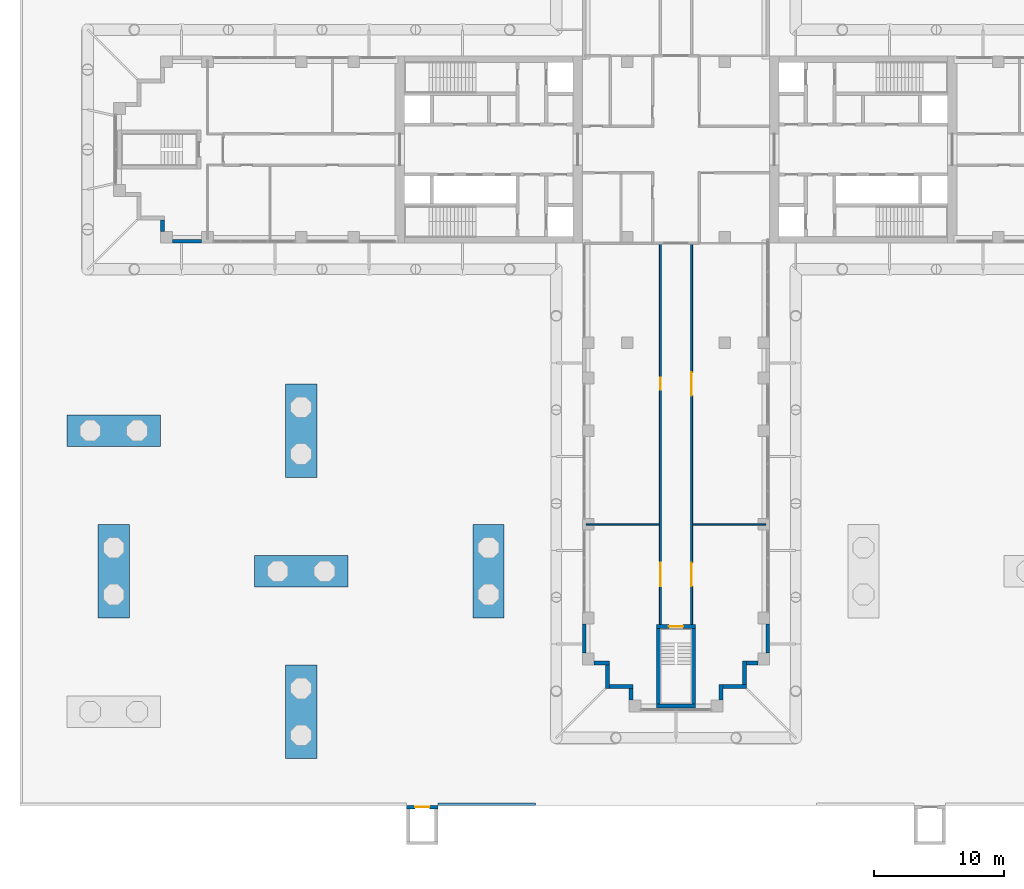
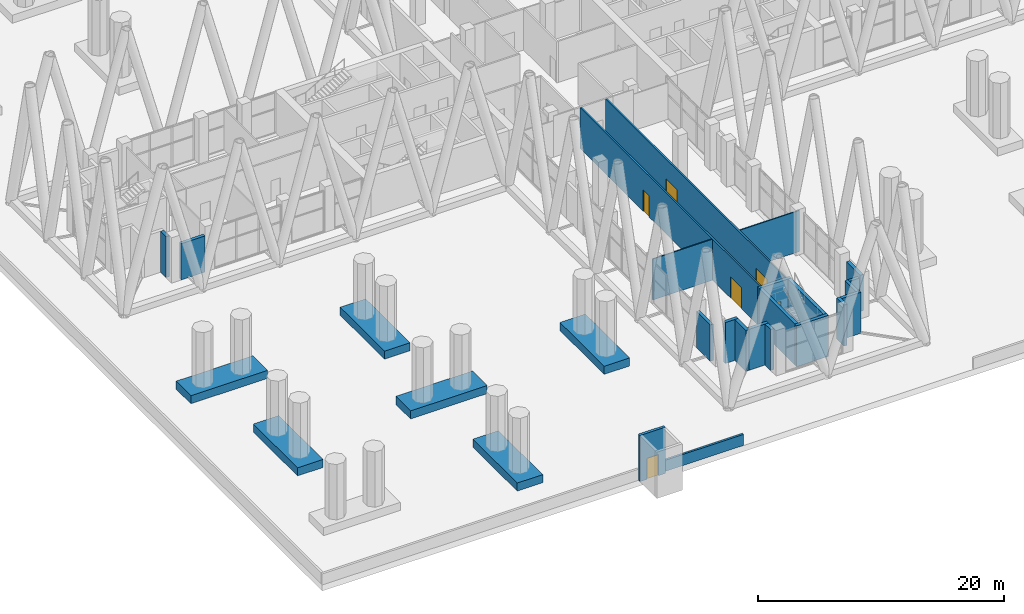
# One storey, part 18 of 31: 28 walls, 6 doors, 6 openings.
"""IFC4 building model written with IfcOpenShell, lengths in metres."""

import ifcopenshell
import ifcopenshell.guid

model = None  # the IFC model being written
_history = None  # IfcOwnerHistory: only IFC2X3 demands one
_inside = {}  # id of a spatial element -> (the spatial element, [elements in it])
_under = {}  # id of a project, library or spatial element -> (it, [spatial elements below it])
_declared = {}  # id of a project -> (the project, [libraries it declares])
_typed = {}  # id of a type object -> (the type object, [elements of that type])
_made_of = {}  # id of a material, layer set ... -> (it, [elements and type objects made of it])


def new_model(schema):
    """Start an empty IFC model of exactly this schema.

    Asked for "IFC4X3", IfcOpenShell would pick the latest addendum, in which some entities
    have other attributes; the version numbers below select the first issue.
    IFC2X3 requires an IfcOwnerHistory on every rooted entity: one is made here for all.
    """
    global model, _history
    if schema == "IFC4X3":
        model = ifcopenshell.file(schema_version=(4, 3, 0, 0))
    else:
        model = ifcopenshell.file(schema=schema)
    _inside.clear()
    _under.clear()
    _declared.clear()
    _typed.clear()
    _made_of.clear()
    _history = None
    if model.schema == "IFC2X3":
        org = make("IfcOrganization", Name="unknown")
        user = make(
            "IfcPersonAndOrganization",
            ThePerson=make("IfcPerson", FamilyName="unknown"),
            TheOrganization=org,
        )
        app = make(
            "IfcApplication",
            ApplicationDeveloper=org,
            Version="unknown",
            ApplicationFullName="unknown",
            ApplicationIdentifier="unknown",
        )
        _history = make(
            "IfcOwnerHistory",
            OwningUser=user,
            OwningApplication=app,
            ChangeAction="ADDED",
            CreationDate=0,
        )
    return model


def make(cls, **values):
    """One entity of the class cls with the attributes given. An attribute that is None is left unset."""
    return model.create_entity(
        cls, **{name: value for name, value in values.items() if value is not None}
    )


def rooted(cls, **values):
    """An entity with a GlobalId (a new one), such as an element, a storey or a relation."""
    return make(cls, GlobalId=ifcopenshell.guid.new(), OwnerHistory=_history, **values)


def si_unit(unit_type, name, prefix=None):
    """IfcSIUnit, for example si_unit("LENGTHUNIT", "METRE", prefix="MILLI")."""
    return make("IfcSIUnit", UnitType=unit_type, Prefix=prefix, Name=name)


def assignment(units):
    """IfcUnitAssignment: the units of a project."""
    return None if units is None else make("IfcUnitAssignment", Units=units)


def point(xyz):
    """IfcCartesianPoint."""
    return None if xyz is None else make("IfcCartesianPoint", Coordinates=xyz)


def direction(xyz):
    """IfcDirection."""
    return None if xyz is None else make("IfcDirection", DirectionRatios=xyz)


def frame(location, z_axis=None, x_axis=None):
    """IfcAxis2Placement3D, a coordinate frame: its origin and axes. An axis left out is left unset."""
    return make(
        "IfcAxis2Placement3D",
        Location=point(location),
        Axis=direction(z_axis),
        RefDirection=direction(x_axis),
    )


def frame_2d(location, x_axis=None):
    """IfcAxis2Placement2D, a coordinate frame in the plane: its origin and x axis."""
    return make(
        "IfcAxis2Placement2D", Location=point(location), RefDirection=direction(x_axis)
    )


def origin():
    """The frame at (0, 0, 0) with its axes left unset."""
    return frame((0.0, 0.0, 0.0))


def place(relative_to, where):
    """IfcLocalPlacement: puts the frame where relative to a parent placement (None: the world)."""
    return make(
        "IfcLocalPlacement", PlacementRelTo=relative_to, RelativePlacement=where
    )


def context(
    kind, dimensions, precision=None, world=None, true_north=None, identifier=None
):
    """IfcGeometricRepresentationContext, for example the 3D "Model" context."""
    return make(
        "IfcGeometricRepresentationContext",
        ContextIdentifier=identifier,
        ContextType=kind,
        CoordinateSpaceDimension=dimensions,
        Precision=precision,
        WorldCoordinateSystem=world,
        TrueNorth=true_north,
    )


def subcontext(parent, identifier, kind, view, scale=None):
    """IfcGeometricRepresentationSubContext, for example "Body" below "Model"."""
    return make(
        "IfcGeometricRepresentationSubContext",
        ContextIdentifier=identifier,
        ContextType=kind,
        ParentContext=parent,
        TargetScale=scale,
        TargetView=view,
    )


def project(units=None, contexts=None):
    """IfcProject with its units and contexts."""
    return rooted(
        "IfcProject",
        Name="project",
        RepresentationContexts=contexts,
        UnitsInContext=assignment(units),
    )


def spatial(cls, under=None, at=None, **own):
    """A site, building, storey or space (cls), placed at a placement, below another one or the project."""
    s = rooted(cls, ObjectPlacement=at, **own)
    if under is not None:
        _under.setdefault(under.id(), (under, []))[1].append(s)
    return s


def profile(cls, at=None, kind="AREA", **sizes):
    """A parametric profile (cls). Its sizes go by their IFC names, for example OverallWidth=200.0."""
    return make(cls, ProfileType=kind, Position=at, **sizes)


def rectangle(**sizes):
    """IfcRectangleProfileDef."""
    return profile("IfcRectangleProfileDef", **sizes)


def extrude(swept, where, along, depth):
    """IfcExtrudedAreaSolid: the profile swept, set in the frame where, extruded along a direction by depth."""
    return make(
        "IfcExtrudedAreaSolid",
        SweptArea=swept,
        Position=where,
        ExtrudedDirection=direction(along),
        Depth=depth,
    )


def shape(context_of_items, identifier, shape_type, items):
    """IfcShapeRepresentation: the items that make up one representation, for example the "Body"."""
    return make(
        "IfcShapeRepresentation",
        ContextOfItems=context_of_items,
        RepresentationIdentifier=identifier,
        RepresentationType=shape_type,
        Items=items,
    )


def material(Name=None, Category=None):
    """IfcMaterial."""
    return make("IfcMaterial", Name=Name, Category=Category)


def layer(
    of_material, thickness, ventilated=None, Name=None, Category=None, Priority=None
):
    """IfcMaterialLayer: one layer of a wall or slab, of a material (None: an air gap)."""
    return make(
        "IfcMaterialLayer",
        Material=of_material,
        LayerThickness=thickness,
        IsVentilated=ventilated,
        Name=Name,
        Category=Category,
        Priority=Priority,
    )


def layer_set(layers, Name=None):
    """IfcMaterialLayerSet."""
    return make("IfcMaterialLayerSet", MaterialLayers=layers, LayerSetName=Name)


def made_of(thing, what):
    """Note that an element or type object is made of a material, layer set ...; save() writes the relation."""
    if what is not None:
        _made_of.setdefault(what.id(), (what, []))[1].append(thing)
    return thing


def type_object(cls, material=None, **own):
    """A type object (cls), such as IfcWallType, which elements share."""
    return made_of(rooted(cls, **own), material)


def element(
    cls,
    number,
    at=None,
    inside=None,
    cuts=None,
    type_object=None,
    material=None,
    context=None,
    identifier="Body",
    shape_type=None,
    held_by="IfcProductDefinitionShape",
    body=None,
    shapes=None,
    **own,
):
    """One element of the class cls, such as IfcWall. Its Tag is "e" and its number.

    at: its placement. inside: the storey or other place that contains it. cuts: it is an
    opening in that element (IfcRelVoidsElement). A single representation is given by context,
    identifier, shape_type and body (its items); several are given by shapes. held_by: the class
    of the entity that holds the representations. save() writes the other relations.
    """
    e = rooted(cls, Tag="e%d" % number, ObjectPlacement=at, **own)
    if body is not None:
        shapes = [shape(context, identifier, shape_type, body)]
    if shapes is not None:
        e.Representation = make(held_by, Representations=shapes)
    if inside is not None:
        _inside.setdefault(inside.id(), (inside, []))[1].append(e)
    if cuts is not None:
        rooted(
            "IfcRelVoidsElement", RelatingBuildingElement=cuts, RelatedOpeningElement=e
        )
    if type_object is not None:
        _typed.setdefault(type_object.id(), (type_object, []))[1].append(e)
    return made_of(e, material)


def fill(opening, filler):
    """IfcRelFillsElement: the door or window that sits in an opening."""
    return rooted(
        "IfcRelFillsElement",
        RelatingOpeningElement=opening,
        RelatedBuildingElement=filler,
    )


def aggregate(whole, parts):
    """IfcRelAggregates: a whole, such as a stair, and the parts it consists of."""
    return rooted("IfcRelAggregates", RelatingObject=whole, RelatedObjects=parts)


def save(model, path):
    """Write the relations noted so far, then the file.

    IfcRelAggregates (storeys below a building ...), IfcRelContainedInSpatialStructure (elements
    in a storey), IfcRelDefinesByType, IfcRelAssociatesMaterial and IfcRelDeclares: one each for
    every whole, place, type object, material and project.
    """
    for whole, parts in _under.values():
        aggregate(whole, parts)
    for where, things in _inside.values():
        rooted(
            "IfcRelContainedInSpatialStructure",
            RelatedElements=things,
            RelatingStructure=where,
        )
    for kind, things in _typed.values():
        rooted("IfcRelDefinesByType", RelatedObjects=things, RelatingType=kind)
    for what, things in _made_of.values():
        rooted("IfcRelAssociatesMaterial", RelatedObjects=things, RelatingMaterial=what)
    for by, libraries in _declared.values():
        rooted("IfcRelDeclares", RelatingContext=by, RelatedDefinitions=libraries)
    model.write(path)


model = new_model("IFC4")

# Units and contexts
model_context = context("Model", 3, precision=1e-05, world=origin(), true_north=direction((0.0, 1.0)))
body_context = subcontext(model_context, "Body", "Model", "MODEL_VIEW")
ifc_project = project(units=[si_unit("LENGTHUNIT", "METRE"), si_unit("AREAUNIT", "SQUARE_METRE"), si_unit("VOLUMEUNIT", "CUBIC_METRE"), si_unit("PLANEANGLEUNIT", "RADIAN"), si_unit("MASSUNIT", "GRAM", prefix="KILO")], contexts=[model_context])

# Site, building, storey
site_placement = place(None, origin())
site = spatial("IfcSite", under=ifc_project, at=site_placement, CompositionType="ELEMENT")
building_placement = place(site_placement, origin())
building = spatial("IfcBuilding", under=site, at=building_placement, Name="Fustian Cross Tower", CompositionType="ELEMENT")
storey_placement = place(building_placement, frame((0.0, 0.0, 7.199951171875)))
storey = spatial("IfcBuildingStorey", under=building, at=storey_placement, Name="L01", CompositionType="ELEMENT", Elevation=7.199951171875)

# Wall, openings, doors
ifc_material_1 = material(Name="Plasterboard on steel stud", Category="steel")
ifc_layer_1 = layer(ifc_material_1, 0.14990234375)
ifc_layer_set_1 = layer_set([ifc_layer_1], Name="Plasterboard on steel stud")
wall_type_1 = type_object("IfcWallType", Name="COMPARTMENT WALL 150 EI 60", PredefinedType="PARTITIONING", material=ifc_layer_set_1)
wall_1_placement = place(storey_placement, frame((-1.199951171875, -36.5, 0.0), z_axis=(0.0, 0.0, 1.0), x_axis=(0.0, 1.0, 0.0)))
wall_1 = element("IfcWall", 1, at=wall_1_placement, inside=storey, type_object=wall_type_1, Name="Partition 24", PredefinedType="PARTITIONING", context=body_context, shape_type="SweptSolid", body=[
    extrude(rectangle(XDim=29.22509765625, YDim=0.14990234375, at=frame_2d((14.612548828125, 0.0))), origin(), (0.0, 0.0, 1.0), 4.074951171875),
])
opening_1_placement = place(wall_1_placement, frame((18.050048828125, 0.0, 0.0)))
opening_1 = element("IfcOpeningElement", 2, at=opening_1_placement, cuts=wall_1, Name="Opening D03017", PredefinedType="OPENING", context=body_context, shape_type="SweptSolid", body=[
    extrude(rectangle(XDim=0.89990234375, YDim=2.10009765625, at=frame_2d((0.449951171875, 1.050048828125))), frame((0.0, 0.0849609375, 0.0), z_axis=(0.0, -1.0, 0.0), x_axis=(1.0, 0.0, 0.0)), (0.0, 0.0, 1.0), 0.169921875),
])
opening_2_placement = place(wall_1_placement, frame((2.949951171875, 0.0, 0.0)))
opening_2 = element("IfcOpeningElement", 3, at=opening_2_placement, cuts=wall_1, Name="Opening D03018", PredefinedType="OPENING", context=body_context, shape_type="SweptSolid", body=[
    extrude(rectangle(XDim=1.800048828125, YDim=2.10009765625, at=frame_2d((0.89990234375, 1.050048828125))), frame((0.0, 0.0849609375, 0.0), z_axis=(0.0, -1.0, 0.0), x_axis=(1.0, 0.0, 0.0)), (0.0, 0.0, 1.0), 0.169921875),
])
ifc_material_2 = material(Name="Timber fire door set", Category="wood")
door_type_1 = type_object("IfcDoorType", Name="FIRE DOUBLE DOOR 1800 FD30S", OperationType="DOUBLE_DOOR_DOUBLE_SWING", PredefinedType="DOOR", material=ifc_material_2)
door_1_placement = place(opening_2_placement, frame((1.800048828125, 0.0, 0.0), z_axis=(0.0, 0.0, 1.0), x_axis=(-1.0, 0.0, 0.0)))
door_1 = element("IfcDoor", 4, at=door_1_placement, inside=storey, type_object=door_type_1, Name="Door D03018", OperationType="DOUBLE_DOOR_DOUBLE_SWING", OverallHeight=2.10009765625, OverallWidth=1.800048828125, PredefinedType="DOOR", context=body_context, shape_type="SweptSolid", body=[
    extrude(rectangle(XDim=1.800048828125, YDim=2.10009765625, at=frame_2d((0.89990234375, 1.050048828125))), frame((0.0, 0.02490234375, 0.0), z_axis=(0.0, -1.0, 0.0), x_axis=(1.0, 0.0, 0.0)), (0.0, 0.0, 1.0), 0.050048828125),
])
fill(opening_2, door_1)
ifc_material_3 = material(Name="Timber fire door set", Category="wood")
door_type_2 = type_object("IfcDoorType", Name="FIRE SWING DOOR 900 FD30S", OperationType="SINGLE_SWING_LEFT", PredefinedType="DOOR", material=ifc_material_3)
door_2_placement = place(opening_1_placement, origin())
door_2 = element("IfcDoor", 5, at=door_2_placement, inside=storey, type_object=door_type_2, Name="Door D03017", OperationType="SINGLE_SWING_LEFT", OverallHeight=2.10009765625, OverallWidth=0.89990234375, PredefinedType="DOOR", context=body_context, shape_type="SweptSolid", body=[
    extrude(rectangle(XDim=0.89990234375, YDim=2.10009765625, at=frame_2d((0.449951171875, 1.050048828125))), frame((0.0, 0.02490234375, 0.0), z_axis=(0.0, -1.0, 0.0), x_axis=(1.0, 0.0, 0.0)), (0.0, 0.0, 1.0), 0.050048828125),
])
fill(opening_1, door_2)

wall_2_placement = place(storey_placement, frame((1.199951171875, -36.5, 0.0), z_axis=(0.0, 0.0, 1.0), x_axis=(0.0, 1.0, 0.0)))
wall_2 = element("IfcWall", 6, at=wall_2_placement, inside=storey, type_object=wall_type_1, Name="Partition 26", PredefinedType="PARTITIONING", context=body_context, shape_type="SweptSolid", body=[
    extrude(rectangle(XDim=29.22509765625, YDim=0.14990234375, at=frame_2d((14.612548828125, 0.0))), origin(), (0.0, 0.0, 1.0), 4.074951171875),
])
opening_3_placement = place(wall_2_placement, frame((17.60009765625, 0.0, 0.0)))
opening_3 = element("IfcOpeningElement", 7, at=opening_3_placement, cuts=wall_2, Name="Opening D03015", PredefinedType="OPENING", context=body_context, shape_type="SweptSolid", body=[
    extrude(rectangle(XDim=1.800048828125, YDim=2.10009765625, at=frame_2d((0.89990234375, 1.050048828125))), frame((0.0, 0.0849609375, 0.0), z_axis=(0.0, -1.0, 0.0), x_axis=(1.0, 0.0, 0.0)), (0.0, 0.0, 1.0), 0.169921875),
])
opening_4_placement = place(wall_2_placement, frame((2.949951171875, 0.0, 0.0)))
opening_4 = element("IfcOpeningElement", 8, at=opening_4_placement, cuts=wall_2, Name="Opening D03016", PredefinedType="OPENING", context=body_context, shape_type="SweptSolid", body=[
    extrude(rectangle(XDim=1.800048828125, YDim=2.10009765625, at=frame_2d((0.89990234375, 1.050048828125))), frame((0.0, 0.0849609375, 0.0), z_axis=(0.0, -1.0, 0.0), x_axis=(1.0, 0.0, 0.0)), (0.0, 0.0, 1.0), 0.169921875),
])
door_3_placement = place(opening_3_placement, origin())
door_3 = element("IfcDoor", 9, at=door_3_placement, inside=storey, type_object=door_type_1, Name="Door D03015", OperationType="DOUBLE_DOOR_DOUBLE_SWING", OverallHeight=2.10009765625, OverallWidth=1.800048828125, PredefinedType="DOOR", context=body_context, shape_type="SweptSolid", body=[
    extrude(rectangle(XDim=1.800048828125, YDim=2.10009765625, at=frame_2d((0.89990234375, 1.050048828125))), frame((0.0, 0.02490234375, 0.0), z_axis=(0.0, -1.0, 0.0), x_axis=(1.0, 0.0, 0.0)), (0.0, 0.0, 1.0), 0.050048828125),
])
fill(opening_3, door_3)
door_4_placement = place(opening_4_placement, origin())
door_4 = element("IfcDoor", 10, at=door_4_placement, inside=storey, type_object=door_type_1, Name="Door D03016", OperationType="DOUBLE_DOOR_DOUBLE_SWING", OverallHeight=2.10009765625, OverallWidth=1.800048828125, PredefinedType="DOOR", context=body_context, shape_type="SweptSolid", body=[
    extrude(rectangle(XDim=1.800048828125, YDim=2.10009765625, at=frame_2d((0.89990234375, 1.050048828125))), frame((0.0, 0.02490234375, 0.0), z_axis=(0.0, -1.0, 0.0), x_axis=(1.0, 0.0, 0.0)), (0.0, 0.0, 1.0), 0.050048828125),
])
fill(opening_4, door_4)

# Walls
ifc_material_4 = material(Name="Dark rainscreen cladding on blockwork", Category="masonry")
ifc_layer_2 = layer(ifc_material_4, 0.300048828125)
ifc_layer_set_2 = layer_set([ifc_layer_2], Name="Dark rainscreen cladding on blockwork")
wall_type_2 = type_object("IfcWallType", Name="EXTERNAL WALL 300 CLADDING", PredefinedType="SOLIDWALL", material=ifc_layer_set_2)
wall_3_placement = place(storey_placement, frame((-39.449951171875, -5.39990234375, 0.0), z_axis=(0.0, 0.0, 1.0), x_axis=(0.0, -1.0, 0.0)))
element("IfcWall", 11, at=wall_3_placement, inside=storey, type_object=wall_type_2, Name="Garden-level wall W340", PredefinedType="SOLIDWALL", context=body_context, shape_type="SweptSolid", body=[
    extrude(rectangle(XDim=0.900146484375, YDim=0.300048828125, at=frame_2d((0.4501953125, 0.0))), origin(), (0.0, 0.0, 1.0), 4.074951171875),
])
for number, where, z_axis, x_axis, name in (
    (12, (-38.699951171875, -7.050048828125, 0.0), (0.0, 0.0, 1.0), (1.0, 0.0, 0.0), "Garden-level wall W350"),
    (13, (-7.050048828125, -36.449951171875, 0.0), (0.0, 0.0, 1.0), (0.0, -1.0, 0.0), "Garden-level wall S375"),
):
    element("IfcWall", number, at=place(storey_placement, frame(where, z_axis=z_axis, x_axis=x_axis)), inside=storey, type_object=wall_type_2, Name=name, PredefinedType="SOLIDWALL", context=body_context, shape_type="SweptSolid", body=[
        extrude(rectangle(XDim=2.25, YDim=0.300048828125, at=frame_2d((1.125, 0.0))), origin(), (0.0, 0.0, 1.0), 3.60009765625),
    ])
wall_4_placement = place(storey_placement, frame((-6.300048828125, -39.449951171875, 0.0), z_axis=(0.0, 0.0, 1.0), x_axis=(1.0, 0.0, 0.0)))
element("IfcWall", 14, at=wall_4_placement, inside=storey, type_object=wall_type_2, Name="Garden-level wall S380", PredefinedType="SOLIDWALL", context=body_context, shape_type="SweptSolid", body=[
    extrude(rectangle(XDim=1.199951171875, YDim=0.300048828125, at=frame_2d((0.60009765625, 0.0))), origin(), (0.0, 0.0, 1.0), 4.074951171875),
])
wall_5_placement = place(storey_placement, frame((-5.25, -39.60009765625, 0.0), z_axis=(0.0, 0.0, 1.0), x_axis=(0.0, -1.0, 0.0)))
element("IfcWall", 15, at=wall_5_placement, inside=storey, type_object=wall_type_2, Name="Garden-level wall S390", PredefinedType="SOLIDWALL", context=body_context, shape_type="SweptSolid", body=[
    extrude(rectangle(XDim=1.7998046875, YDim=0.300048828125, at=frame_2d((0.89990234375, 0.0))), origin(), (0.0, 0.0, 1.0), 4.074951171875),
])
wall_6_placement = place(storey_placement, frame((-5.10009765625, -41.25, 0.0), z_axis=(0.0, 0.0, 1.0), x_axis=(1.0, 0.0, 0.0)))
element("IfcWall", 16, at=wall_6_placement, inside=storey, type_object=wall_type_2, Name="Garden-level wall S400", PredefinedType="SOLIDWALL", context=body_context, shape_type="SweptSolid", body=[
    extrude(rectangle(XDim=1.800048828125, YDim=0.300048828125, at=frame_2d((0.89990234375, 0.0))), origin(), (0.0, 0.0, 1.0), 4.074951171875),
])
wall_7_placement = place(storey_placement, frame((-3.449951171875, -41.39990234375, 0.0), z_axis=(0.0, 0.0, 1.0), x_axis=(0.0, -1.0, 0.0)))
element("IfcWall", 17, at=wall_7_placement, inside=storey, type_object=wall_type_2, Name="Garden-level wall S410", PredefinedType="SOLIDWALL", context=body_context, shape_type="SweptSolid", body=[
    extrude(rectangle(XDim=0.900146484375, YDim=0.300048828125, at=frame_2d((0.4501953125, 0.0))), origin(), (0.0, 0.0, 1.0), 4.074951171875),
])
wall_8_placement = place(storey_placement, frame((3.449951171875, -42.300048828125, 0.0), z_axis=(0.0, 0.0, 1.0), x_axis=(0.0, 1.0, 0.0)))
element("IfcWall", 18, at=wall_8_placement, inside=storey, type_object=wall_type_2, Name="Garden-level wall S430", PredefinedType="SOLIDWALL", context=body_context, shape_type="SweptSolid", body=[
    extrude(rectangle(XDim=1.199951171875, YDim=0.300048828125, at=frame_2d((0.60009765625, 0.0))), origin(), (0.0, 0.0, 1.0), 4.074951171875),
])
wall_9_placement = place(storey_placement, frame((3.60009765625, -41.25, 0.0), z_axis=(0.0, 0.0, 1.0), x_axis=(1.0, 0.0, 0.0)))
element("IfcWall", 19, at=wall_9_placement, inside=storey, type_object=wall_type_2, Name="Garden-level wall S440", PredefinedType="SOLIDWALL", context=body_context, shape_type="SweptSolid", body=[
    extrude(rectangle(XDim=1.7998046875, YDim=0.300048828125, at=frame_2d((0.89990234375, 0.0))), origin(), (0.0, 0.0, 1.0), 4.074951171875),
])
wall_10_placement = place(storey_placement, frame((5.25, -41.10009765625, 0.0), z_axis=(0.0, 0.0, 1.0), x_axis=(0.0, 1.0, 0.0)))
element("IfcWall", 20, at=wall_10_placement, inside=storey, type_object=wall_type_2, Name="Garden-level wall S450", PredefinedType="SOLIDWALL", context=body_context, shape_type="SweptSolid", body=[
    extrude(rectangle(XDim=1.800048828125, YDim=0.300048828125, at=frame_2d((0.89990234375, 0.0))), origin(), (0.0, 0.0, 1.0), 4.074951171875),
])
wall_11_placement = place(storey_placement, frame((5.39990234375, -39.449951171875, 0.0), z_axis=(0.0, 0.0, 1.0), x_axis=(1.0, 0.0, 0.0)))
element("IfcWall", 21, at=wall_11_placement, inside=storey, type_object=wall_type_2, Name="Garden-level wall S460", PredefinedType="SOLIDWALL", context=body_context, shape_type="SweptSolid", body=[
    extrude(rectangle(XDim=0.900146484375, YDim=0.300048828125, at=frame_2d((0.4501953125, 0.0))), origin(), (0.0, 0.0, 1.0), 4.074951171875),
])
wall_12_placement = place(storey_placement, frame((7.050048828125, -38.699951171875, 0.0), z_axis=(0.0, 0.0, 1.0), x_axis=(0.0, 1.0, 0.0)))
element("IfcWall", 22, at=wall_12_placement, inside=storey, type_object=wall_type_2, Name="Garden-level wall S470", PredefinedType="SOLIDWALL", context=body_context, shape_type="SweptSolid", body=[
    extrude(rectangle(XDim=2.25, YDim=0.300048828125, at=frame_2d((1.125, 0.0))), origin(), (0.0, 0.0, 1.0), 3.60009765625),
])

# Wall, opening, door
ifc_material_5 = material(Name="Concrete C40/50", Category="concrete")
ifc_layer_3 = layer(ifc_material_5, 0.25)
ifc_layer_set_3 = layer_set([ifc_layer_3], Name="Concrete C40/50")
wall_type_3 = type_object("IfcWallType", Name="LIFT SHAFT WALL 250", PredefinedType="SOLIDWALL", material=ifc_layer_set_3)
wall_13_placement = place(storey_placement, frame((-20.699951171875, -50.52490234375, 0.0), z_axis=(0.0, 0.0, 1.0), x_axis=(1.0, 0.0, 0.0)))
wall_13 = element("IfcWall", 23, at=wall_13_placement, inside=storey, type_object=wall_type_3, Name="Lift shaft wall PL1 L01 N", PredefinedType="SOLIDWALL", context=body_context, shape_type="SweptSolid", body=[
    extrude(rectangle(XDim=2.39990234375, YDim=0.25, at=frame_2d((1.199951171875, 0.0))), origin(), (0.0, 0.0, 1.0), 4.60009765625),
])
opening_5_placement = place(wall_13_placement, frame((0.64990234375, 0.0, 0.0)))
opening_5 = element("IfcOpeningElement", 24, at=opening_5_placement, cuts=wall_13, Name="Opening LD", PredefinedType="OPENING", context=body_context, shape_type="SweptSolid", body=[
    extrude(rectangle(XDim=1.10009765625, YDim=2.10009765625, at=frame_2d((0.550048828125, 1.050048828125))), frame((0.0, 0.135009765625, 0.0), z_axis=(0.0, -1.0, 0.0), x_axis=(1.0, 0.0, 0.0)), (0.0, 0.0, 1.0), 0.27001953125),
])
ifc_material_6 = material(Name="Stainless steel", Category="steel")
door_type_3 = type_object("IfcDoorType", Name="LIFT LANDING DOOR 1100X2100", OperationType="SLIDING_TO_LEFT", PredefinedType="DOOR", material=ifc_material_6)
door_5_placement = place(opening_5_placement, origin())
door_5 = element("IfcDoor", 25, at=door_5_placement, inside=storey, type_object=door_type_3, Name="Public lift car landing door PL1 L01", OperationType="SLIDING_TO_LEFT", OverallHeight=2.10009765625, OverallWidth=1.10009765625, PredefinedType="DOOR", context=body_context, shape_type="SweptSolid", body=[
    extrude(rectangle(XDim=1.10009765625, YDim=2.10009765625, at=frame_2d((0.550048828125, 1.050048828125))), frame((0.0, 0.02490234375, 0.0), z_axis=(0.0, -1.0, 0.0), x_axis=(1.0, 0.0, 0.0)), (0.0, 0.0, 1.0), 0.050048828125),
])
fill(opening_5, door_5)

# Walls
ifc_material_7 = material(Name="Dark rainscreen cladding on blockwork", Category="masonry")
ifc_layer_4 = layer(ifc_material_7, 0.199951171875)
ifc_layer_set_4 = layer_set([ifc_layer_4], Name="Dark rainscreen cladding on blockwork")
wall_type_4 = type_object("IfcWallType", Name="PARAPET 200", PredefinedType="PARAPET", material=ifc_layer_set_4)
wall_14_placement = place(storey_placement, frame((-18.300048828125, -50.300048828125, 0.0), z_axis=(0.0, 0.0, 1.0), x_axis=(1.0, 0.0, 0.0)))
element("IfcWall", 26, at=wall_14_placement, inside=storey, type_object=wall_type_4, Name="Deck parapet S", PredefinedType="PARAPET", context=body_context, shape_type="SweptSolid", body=[
    extrude(rectangle(XDim=7.5, YDim=0.199951171875, at=frame_2d((3.75, 0.0))), origin(), (0.0, 0.0, 1.0), 1.10009765625),
])
ifc_material_8 = material(Name="Plasterboard on steel stud", Category="steel")
ifc_layer_5 = layer(ifc_material_8, 0.10009765625)
ifc_layer_set_5 = layer_set([ifc_layer_5], Name="Plasterboard on steel stud")
wall_type_5 = type_object("IfcWallType", Name="PARTITION 100 STUD", PredefinedType="PARTITIONING", material=ifc_layer_set_5)
for number, where, z_axis, x_axis, name in (
    (27, (-6.89990234375, -28.800048828125, 0.0), (0.0, 0.0, 1.0), (1.0, 0.0, 0.0), "Partition 12"),
    (28, (1.27490234375, -28.800048828125, 0.0), (0.0, 0.0, 1.0), (1.0, 0.0, 0.0), "Partition 27"),
):
    element("IfcWall", number, at=place(storey_placement, frame(where, z_axis=z_axis, x_axis=x_axis)), inside=storey, type_object=wall_type_5, Name=name, PredefinedType="PARTITIONING", context=body_context, shape_type="SweptSolid", body=[
        extrude(rectangle(XDim=5.625, YDim=0.10009765625, at=frame_2d((2.8125, 0.0))), origin(), (0.0, 0.0, 1.0), 4.074951171875),
    ])
ifc_material_9 = material(Name="Concrete C40/50", Category="concrete")
ifc_layer_6 = layer(ifc_material_9, 2.39990234375)
ifc_layer_set_6 = layer_set([ifc_layer_6], Name="Concrete C40/50")
wall_type_6 = type_object("IfcWallType", Name="PLANTER KERB", PredefinedType="SOLIDWALL", material=ifc_layer_set_6)
for number, where, z_axis, x_axis, name in (
    (29, (-43.199951171875, -36.0, 0.0), (0.0, 0.0, 1.0), (0.0, 1.0, 0.0), "PLANTER D2"),
    (30, (-46.800048828125, -21.60009765625, 0.0), (0.0, 0.0, 1.0), (1.0, 0.0, 0.0), "PLANTER D3"),
    (31, (-28.800048828125, -46.800048828125, 0.0), (0.0, 0.0, 1.0), (0.0, 1.0, 0.0), "PLANTER D7"),
    (32, (-32.39990234375, -32.39990234375, 0.0), (0.0, 0.0, 1.0), (1.0, 0.0, 0.0), "PLANTER D8"),
    (33, (-28.800048828125, -25.199951171875, 0.0), (0.0, 0.0, 1.0), (0.0, 1.0, 0.0), "PLANTER D9"),
    (34, (-14.39990234375, -36.0, 0.0), (0.0, 0.0, 1.0), (0.0, 1.0, 0.0), "PLANTER D13"),
):
    element("IfcWall", number, at=place(storey_placement, frame(where, z_axis=z_axis, x_axis=x_axis)), inside=storey, type_object=wall_type_6, Name=name, PredefinedType="SOLIDWALL", context=body_context, shape_type="SweptSolid", body=[
        extrude(rectangle(XDim=7.199951171875, YDim=2.39990234375, at=frame_2d((3.60009765625, 0.0))), origin(), (0.0, 0.0, 1.0), 0.800048828125),
    ])

# Wall, opening, door
ifc_material_10 = material(Name="Concrete C50/60", Category="concrete")
ifc_layer_7 = layer(ifc_material_10, 0.300048828125)
ifc_layer_set_7 = layer_set([ifc_layer_7], Name="Concrete C50/60")
wall_type_7 = type_object("IfcWallType", Name="STAIR ENCLOSURE WALL 300 C50/60", PredefinedType="SHEAR", material=ifc_layer_set_7)
wall_15_placement = place(storey_placement, frame((-1.5, -36.64990234375, 0.0), z_axis=(0.0, 0.0, 1.0), x_axis=(1.0, 0.0, 0.0)))
wall_15 = element("IfcWall", 35, at=wall_15_placement, inside=storey, type_object=wall_type_7, Name="Stair enclosure wall", PredefinedType="SHEAR", context=body_context, shape_type="SweptSolid", body=[
    extrude(rectangle(XDim=3.0, YDim=0.300048828125, at=frame_2d((1.5, 0.0))), origin(), (0.0, 0.0, 1.0), 4.074951171875),
])
opening_6_placement = place(wall_15_placement, frame((0.949951171875, 0.0, 0.0)))
opening_6 = element("IfcOpeningElement", 36, at=opening_6_placement, cuts=wall_15, Name="Opening CD-03-32", PredefinedType="OPENING", context=body_context, shape_type="SweptSolid", body=[
    extrude(rectangle(XDim=1.10009765625, YDim=2.10009765625, at=frame_2d((0.550048828125, 1.050048828125))), frame((0.0, 0.159912109375, 0.0), z_axis=(0.0, -1.0, 0.0), x_axis=(1.0, 0.0, 0.0)), (0.0, 0.0, 1.0), 0.320068359375),
])
ifc_material_11 = material(Name="Steel", Category="steel")
door_type_4 = type_object("IfcDoorType", Name="FIRE DOOR FD60S 1100X2100", OperationType="SINGLE_SWING_LEFT", PredefinedType="DOOR", material=ifc_material_11)
door_6_placement = place(opening_6_placement, frame((1.10009765625, 0.0, 0.0), z_axis=(0.0, 0.0, 1.0), x_axis=(-1.0, 0.0, 0.0)))
door_6 = element("IfcDoor", 37, at=door_6_placement, inside=storey, type_object=door_type_4, Name="Core door CD-03-32", OperationType="SINGLE_SWING_RIGHT", OverallHeight=2.10009765625, OverallWidth=1.10009765625, PredefinedType="DOOR", context=body_context, shape_type="SweptSolid", body=[
    extrude(rectangle(XDim=1.10009765625, YDim=2.10009765625, at=frame_2d((0.550048828125, 1.050048828125))), frame((0.0, 0.02490234375, 0.0), z_axis=(0.0, -1.0, 0.0), x_axis=(1.0, 0.0, 0.0)), (0.0, 0.0, 1.0), 0.050048828125),
])
fill(opening_6, door_6)

# Walls
wall_16_placement = place(storey_placement, frame((-1.5, -42.75, 0.0), z_axis=(0.0, 0.0, 1.0), x_axis=(1.0, 0.0, 0.0)))
element("IfcWall", 38, at=wall_16_placement, inside=storey, type_object=wall_type_7, Name="Stair enclosure wall", PredefinedType="SHEAR", context=body_context, shape_type="SweptSolid", body=[
    extrude(rectangle(XDim=3.0, YDim=0.300048828125, at=frame_2d((1.5, 0.0))), origin(), (0.0, 0.0, 1.0), 4.074951171875),
])
for number, where, z_axis, x_axis, name in (
    (39, (-1.35009765625, -36.800048828125, 0.0), (0.0, 0.0, 1.0), (0.0, -1.0, 0.0), "Stair enclosure wall"),
    (40, (1.35009765625, -36.800048828125, 0.0), (0.0, 0.0, 1.0), (0.0, -1.0, 0.0), "Stair enclosure wall"),
):
    element("IfcWall", number, at=place(storey_placement, frame(where, z_axis=z_axis, x_axis=x_axis)), inside=storey, type_object=wall_type_7, Name=name, PredefinedType="SHEAR", context=body_context, shape_type="SweptSolid", body=[
        extrude(rectangle(XDim=5.800048828125, YDim=0.300048828125, at=frame_2d((2.89990234375, 0.0))), origin(), (0.0, 0.0, 1.0), 4.074951171875),
    ])

save(model, "model.ifc")
